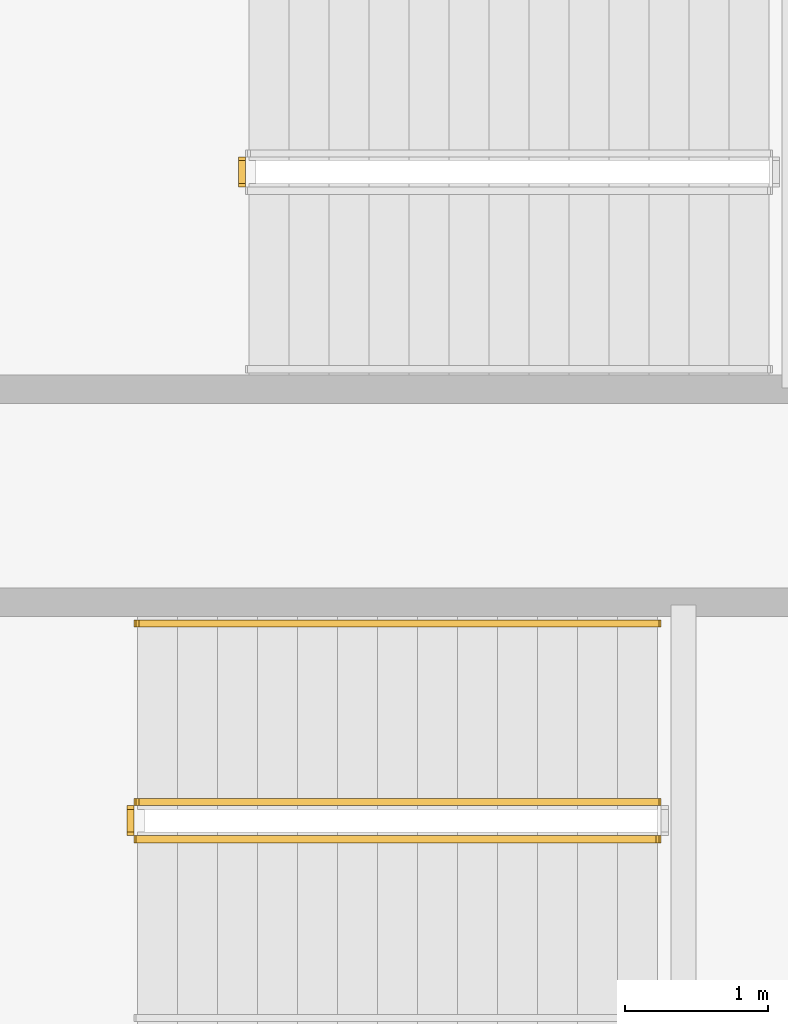
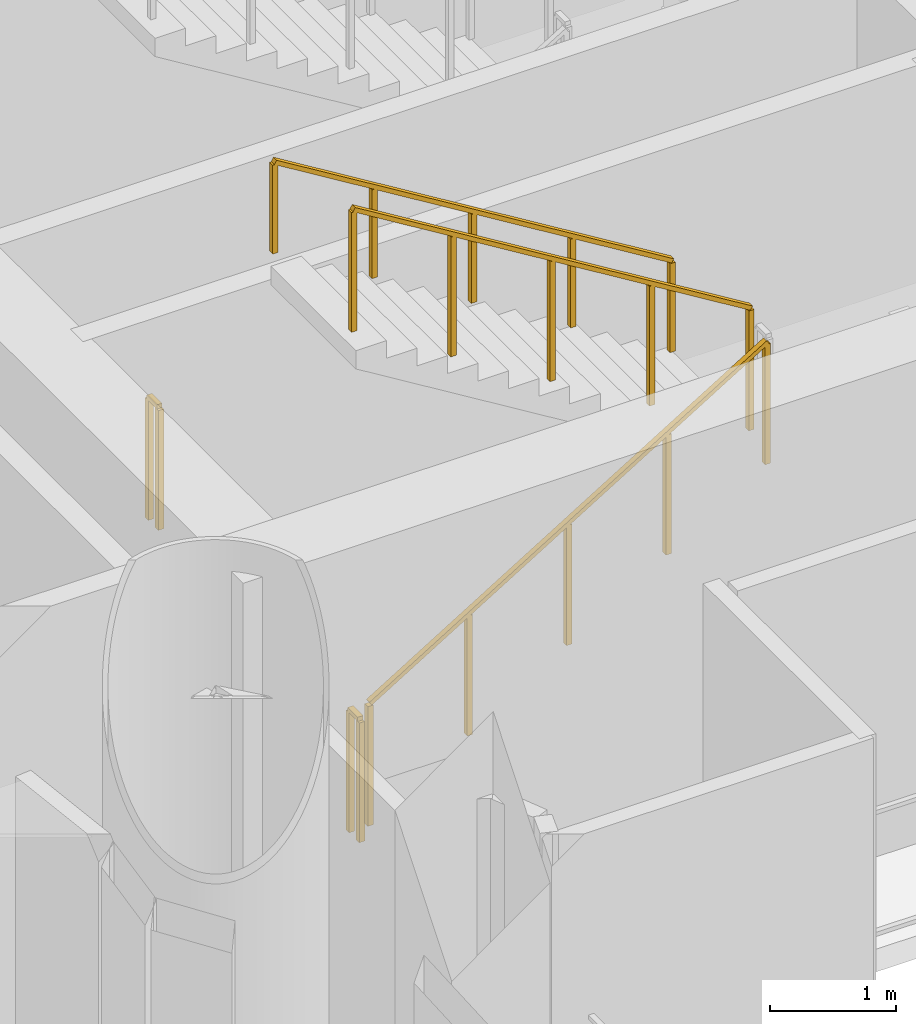
# One storey, part 33 of 39: 5 railings.
"""IFC4 building model written with IfcOpenShell, lengths in metres."""

from ifc_helpers import new_model, si_unit, direction, frame, origin, origin_2d, place, context, subcontext, project, spatial, rectangle, extrude, material, type_object, element, save


model = new_model("IFC4")

# Units and contexts
model_context = context("Model", 3, precision=1e-05, world=origin(), true_north=direction((0.0, 1.0)))
body_context = subcontext(model_context, "Body", "Model", "MODEL_VIEW")
ifc_project = project(units=[si_unit("LENGTHUNIT", "METRE"), si_unit("AREAUNIT", "SQUARE_METRE"), si_unit("VOLUMEUNIT", "CUBIC_METRE"), si_unit("PLANEANGLEUNIT", "RADIAN"), si_unit("MASSUNIT", "GRAM", prefix="KILO")], contexts=[model_context])

# Site, building, storey
site_placement = place(None, origin())
site = spatial("IfcSite", under=ifc_project, at=site_placement, CompositionType="ELEMENT")
building_placement = place(site_placement, origin())
building = spatial("IfcBuilding", under=site, at=building_placement, Name="Qianvela Tower", CompositionType="ELEMENT")
storey_placement = place(building_placement, frame((0.0, 0.0, 15.800048828125)))
storey = spatial("IfcBuildingStorey", under=building, at=storey_placement, Name="L03", CompositionType="ELEMENT", Elevation=15.800048828125)

# Railings
ifc_material_1 = material(Name="Painted Tubular Steel Q355B", Category="steel")
railing_type_1 = type_object("IfcRailingType", Name="RL-STAIR-GUARD-1200", PredefinedType="GUARDRAIL", material=ifc_material_1)
railing_1_placement = place(storey_placement, frame((32.14990234375, 30.889892578125, 0.0)))
element("IfcRailing", 1, at=railing_1_placement, inside=storey, type_object=railing_type_1, Name="L03 ST-1 stair guard 4", PredefinedType="GUARDRAIL", context=body_context, shape_type="SweptSolid", body=[
    extrude(rectangle(XDim=0.050048828125, YDim=0.0400390625, at=origin_2d()), frame((0.0, 0.0, 1.179931640625), z_axis=(0.0, 1.0, 0.0), x_axis=(-1.0, 0.0, 0.0)), (0.0, 0.0, 1.0), 0.16015625),
    extrude(rectangle(XDim=0.050048828125, YDim=0.050048828125, at=origin_2d()), origin(), (0.0, 0.0, 1.0), 1.159912109375),
    extrude(rectangle(XDim=0.050048828125, YDim=0.050048828125, at=origin_2d()), frame((0.0, 0.16015625, 0.0)), (0.0, 0.0, 1.0), 1.159912109375),
])
railing_2_placement = place(storey_placement, frame((31.419921875, 26.300048828125, 0.17138671875)))
element("IfcRailing", 2, at=railing_2_placement, inside=storey, type_object=railing_type_1, Name="L03 ST-2 stair guard 1", PredefinedType="GUARDRAIL", context=body_context, shape_type="SweptSolid", body=[
    extrude(rectangle(XDim=0.050048828125, YDim=0.0400390625, at=origin_2d()), frame((0.0, 0.0, 1.179931640625), z_axis=(0.852865859571, 0.0, 0.52213008492), x_axis=(0.0, 1.0, 0.0)), (0.0, 0.0, 1.0), 4.26806640625),
    extrude(rectangle(XDim=0.050048828125, YDim=0.050048828125, at=origin_2d()), origin(), (0.0, 0.0, 1.0), 1.159912109375),
    extrude(rectangle(XDim=0.050048828125, YDim=0.050048828125, at=origin_2d()), frame((0.91015625, 0.0, 0.55712890625)), (0.0, 0.0, 1.0), 1.159912109375),
    extrude(rectangle(XDim=0.050048828125, YDim=0.050048828125, at=origin_2d()), frame((1.820068359375, 0.0, 1.1142578125)), (0.0, 0.0, 1.0), 1.159912109375),
    extrude(rectangle(XDim=0.050048828125, YDim=0.050048828125, at=origin_2d()), frame((2.72998046875, 0.0, 1.67138671875)), (0.0, 0.0, 1.0), 1.159912109375),
    extrude(rectangle(XDim=0.050048828125, YDim=0.050048828125, at=origin_2d()), frame((3.64013671875, 0.0, 2.228515625)), (0.0, 0.0, 1.0), 1.159912109375),
])
railing_3_placement = place(storey_placement, frame((35.06005859375, 26.56005859375, 2.5712890625)))
element("IfcRailing", 3, at=railing_3_placement, inside=storey, type_object=railing_type_1, Name="L03 ST-2 stair guard 3", PredefinedType="GUARDRAIL", context=body_context, shape_type="SweptSolid", body=[
    extrude(rectangle(XDim=0.050048828125, YDim=0.0400390625, at=origin_2d()), frame((0.0, 0.0, 1.179931640625), z_axis=(-0.852840387347, 0.0, 0.522171689878), x_axis=(0.0, -1.0, 0.0)), (0.0, 0.0, 1.0), 4.268310546875),
    extrude(rectangle(XDim=0.050048828125, YDim=0.050048828125, at=origin_2d()), origin(), (0.0, 0.0, 1.0), 1.159912109375),
    extrude(rectangle(XDim=0.050048828125, YDim=0.050048828125, at=origin_2d()), frame((-0.91015625, 0.0, 0.55712890625)), (0.0, 0.0, 1.0), 1.159912109375),
    extrude(rectangle(XDim=0.050048828125, YDim=0.050048828125, at=origin_2d()), frame((-1.820068359375, 0.0, 1.1142578125)), (0.0, 0.0, 1.0), 1.159912109375),
    extrude(rectangle(XDim=0.050048828125, YDim=0.050048828125, at=origin_2d()), frame((-2.72998046875, 0.0, 1.671630859375)), (0.0, 0.0, 1.0), 1.159912109375),
    extrude(rectangle(XDim=0.050048828125, YDim=0.050048828125, at=origin_2d()), frame((-3.64013671875, 0.0, 2.228759765625)), (0.0, 0.0, 1.0), 1.159912109375),
])
railing_4_placement = place(storey_placement, frame((31.3701171875, 26.35009765625, 0.0)))
element("IfcRailing", 4, at=railing_4_placement, inside=storey, type_object=railing_type_1, Name="L03 ST-2 stair guard 4", PredefinedType="GUARDRAIL", context=body_context, shape_type="SweptSolid", body=[
    extrude(rectangle(XDim=0.050048828125, YDim=0.0400390625, at=origin_2d()), frame((0.0, 0.0, 1.179931640625), z_axis=(0.0, 1.0, 0.0), x_axis=(-1.0, 0.0, 0.0)), (0.0, 0.0, 1.0), 0.159912109375),
    extrude(rectangle(XDim=0.050048828125, YDim=0.050048828125, at=origin_2d()), origin(), (0.0, 0.0, 1.0), 1.159912109375),
    extrude(rectangle(XDim=0.050048828125, YDim=0.050048828125, at=origin_2d()), frame((0.0, 0.159912109375, 0.0)), (0.0, 0.0, 1.0), 1.159912109375),
])
ifc_material_2 = material(Name="Brushed Stainless Steel 304", Category="steel")
railing_type_2 = type_object("IfcRailingType", Name="RL-STAIR-HANDRAIL-900", PredefinedType="HANDRAIL", material=ifc_material_2)
railing_5_placement = place(storey_placement, frame((35.06005859375, 27.81005859375, 2.5712890625)))
element("IfcRailing", 5, at=railing_5_placement, inside=storey, type_object=railing_type_2, Name="L03 ST-2 stair handrail 2", PredefinedType="HANDRAIL", context=body_context, shape_type="SweptSolid", body=[
    extrude(rectangle(XDim=0.050048828125, YDim=0.0400390625, at=origin_2d()), frame((0.0, 0.0, 0.8798828125), z_axis=(-0.852840387347, 0.0, 0.522171689878), x_axis=(0.0, -1.0, 0.0)), (0.0, 0.0, 1.0), 4.268310546875),
    extrude(rectangle(XDim=0.050048828125, YDim=0.050048828125, at=origin_2d()), origin(), (0.0, 0.0, 1.0), 0.85986328125),
    extrude(rectangle(XDim=0.050048828125, YDim=0.050048828125, at=origin_2d()), frame((-0.91015625, 0.0, 0.55712890625)), (0.0, 0.0, 1.0), 0.85986328125),
    extrude(rectangle(XDim=0.050048828125, YDim=0.050048828125, at=origin_2d()), frame((-1.820068359375, 0.0, 1.1142578125)), (0.0, 0.0, 1.0), 0.85986328125),
    extrude(rectangle(XDim=0.050048828125, YDim=0.050048828125, at=origin_2d()), frame((-2.72998046875, 0.0, 1.671630859375)), (0.0, 0.0, 1.0), 0.85986328125),
    extrude(rectangle(XDim=0.050048828125, YDim=0.050048828125, at=origin_2d()), frame((-3.64013671875, 0.0, 2.228759765625)), (0.0, 0.0, 1.0), 0.85986328125),
])

save(model, "model.ifc")
